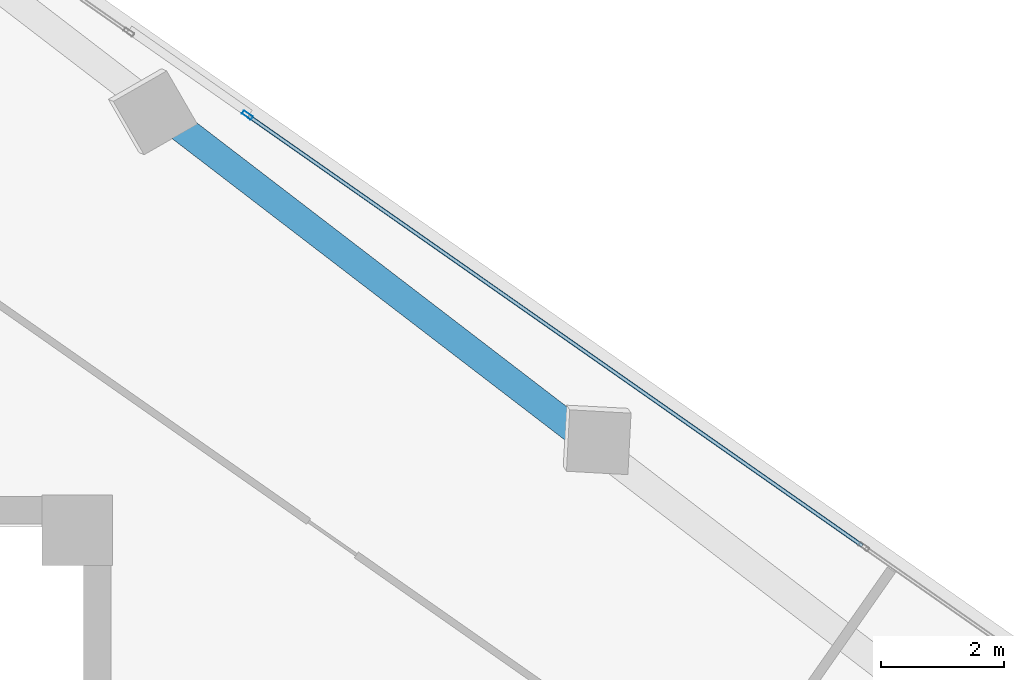
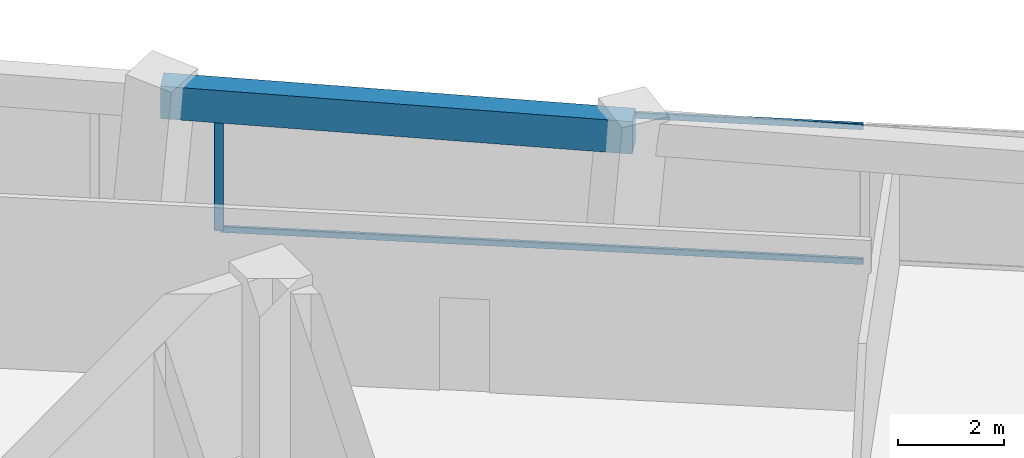
# One storey, part 15 of 21: 3 members, 1 beam, 1 element without a shape of its own.
"""IFC4 building model written with IfcOpenShell, lengths in metres."""

from ifc_helpers import new_model, si_unit, direction, frame, origin, origin_2d, place, context, subcontext, project, spatial, rectangle, hollow_rectangle, extrude, source, transform, mapped, material, material_profile, profile_set, type_object, element, aggregate, save


model = new_model("IFC4")

# Units and contexts
model_context = context("Model", 3, precision=1e-05, world=origin(), true_north=direction((0.0, 1.0)))
body_context = subcontext(model_context, "Body", "Model", "MODEL_VIEW")
ifc_project = project(units=[si_unit("LENGTHUNIT", "METRE"), si_unit("AREAUNIT", "SQUARE_METRE"), si_unit("VOLUMEUNIT", "CUBIC_METRE"), si_unit("PLANEANGLEUNIT", "RADIAN"), si_unit("MASSUNIT", "GRAM", prefix="KILO")], contexts=[model_context])

# Site, building, storey
site_placement = place(None, origin())
site = spatial("IfcSite", under=ifc_project, at=site_placement, CompositionType="ELEMENT")
building_placement = place(site_placement, origin())
building = spatial("IfcBuilding", under=site, at=building_placement, Name="Torre Montelarca", CompositionType="ELEMENT")
storey_placement = place(building_placement, frame((0.0, 0.0, 200.199951171875)))
storey = spatial("IfcBuildingStorey", under=building, at=storey_placement, Name="L45", CompositionType="ELEMENT", Elevation=200.199951171875)

# Beam
ifc_material_1 = material(Name="Concrete C55/67", Category="concrete")
ifc_material_profile_1 = material_profile(ifc_material_1, rectangle(XDim=0.449951171875, YDim=0.75, at=origin_2d()), Name="RCB450X750", Category="concrete")
ifc_profile_set_1 = profile_set([ifc_material_profile_1], Name="Concrete C55/67")
beam_type = type_object("IfcBeamType", Name="BM-SP-RC750-EXT", PredefinedType="SPANDREL", material=ifc_profile_set_1)
shared_shape_1 = source(origin(), body_context, "Body", "SweptSolid", [
    extrude(rectangle(XDim=0.449951171875, YDim=0.75, at=origin_2d()), origin(), (0.0, 0.0, 1.0), 9.0),
])
beam_placement = place(storey_placement, frame((27.946044921875, 46.14990234375, 3.5849609375), z_axis=(0.793356551293, -0.608757244327, 0.0), x_axis=(0.608757244327, 0.793356551293, 0.0)))
element("IfcBeam", 1, at=beam_placement, inside=storey, type_object=beam_type, Name="L45 Grid Girder X 18.0-27.0 at Y=47.1", PredefinedType="SPANDREL", context=body_context, shape_type="MappedRepresentation", body=[
    mapped(shared_shape_1, transform((0.0, 0.0, 0.0), scale=1.0)),
])

# Curtain wall, members
ifc_material_2 = material(Name="Insulated low-E laminated glass", Category="glass")
curtain_wall_type = type_object("IfcCurtainWallType", Name="CW-SYS-Z2", PredefinedType="USERDEFINED", material=ifc_material_2)
curtain_wall_placement = place(storey_placement, origin())
curtain_wall = element("IfcCurtainWall", 2, at=curtain_wall_placement, inside=storey, type_object=curtain_wall_type, Name="L45 Curtain Wall Run CW-T3-L45-E08-B1", ObjectType="UNITISED GLAZING", PredefinedType="USERDEFINED")
ifc_material_3 = material(Name="Anodised aluminium AA 6063-T6", Category="aluminium")
ifc_material_profile_2 = material_profile(ifc_material_3, hollow_rectangle(XDim=0.06494140625, YDim=0.179931640625, WallThickness=0.00390625, InnerFilletRadius=0.00390625, OuterFilletRadius=0.008056640625, at=origin_2d()), Name="ALU65X180X4", Category="aluminium")
ifc_profile_set_2 = profile_set([ifc_material_profile_2], Name="Anodised aluminium AA 6063-T6")
member_type_1 = type_object("IfcMemberType", Name="CWM-ALU180", PredefinedType="MULLION", material=ifc_profile_set_2)
shared_shape_2 = source(origin(), body_context, "Body", "SweptSolid", [
    extrude(hollow_rectangle(XDim=0.06494140625, YDim=0.179931640625, WallThickness=0.00390625, InnerFilletRadius=0.00390625, OuterFilletRadius=0.008056640625, at=origin_2d()), origin(), (0.0, 0.0, 1.0), 3.175048828125),
])
member_1_placement = place(storey_placement, frame((29.2236328125, 46.20947265625, 0.0), z_axis=(0.0, 0.0, 1.0), x_axis=(-0.573571512445, -0.819155492023, 0.0)))
member_1 = element("IfcMember", 3, at=member_1_placement, type_object=member_type_1, Name="CW mullion 3", PredefinedType="MULLION", context=body_context, shape_type="MappedRepresentation", body=[
    mapped(shared_shape_2, transform((0.0, 0.0, 0.0), scale=1.0)),
])
ifc_material_profile_3 = material_profile(ifc_material_3, hollow_rectangle(XDim=0.06494140625, YDim=0.139892578125, WallThickness=0.00390625, InnerFilletRadius=0.00390625, OuterFilletRadius=0.008056640625, at=origin_2d()), Name="ALU65X140X4", Category="aluminium")
ifc_profile_set_3 = profile_set([ifc_material_profile_3], Name="Anodised aluminium AA 6063-T6")
member_type_2 = type_object("IfcMemberType", Name="CWT-ALU140", PredefinedType="USERDEFINED", material=ifc_profile_set_3)
shared_shape_3 = source(origin(), body_context, "Body", "SweptSolid", [
    extrude(hollow_rectangle(XDim=0.06494140625, YDim=0.139892578125, WallThickness=0.00390625, InnerFilletRadius=0.00390625, OuterFilletRadius=0.008056640625, at=origin_2d()), origin(), (0.0, 0.0, 1.0), 12.197509765625),
])
member_2_placement = place(storey_placement, frame((39.241943359375, 39.19482421875, 0.032470703125), z_axis=(-0.819158568052, 0.57356711934, 0.0), x_axis=(-0.57356711934, -0.819158568052, 0.0)))
member_2 = element("IfcMember", 4, at=member_2_placement, type_object=member_type_2, Name="CW transom 2.1", ObjectType="TRANSOM", PredefinedType="USERDEFINED", context=body_context, shape_type="MappedRepresentation", body=[
    mapped(shared_shape_3, transform((0.0, 0.0, 0.0), scale=1.0)),
])
member_3_placement = place(storey_placement, frame((39.241943359375, 39.19482421875, 3.142578125), z_axis=(-0.819158568052, 0.57356711934, 0.0), x_axis=(-0.57356711934, -0.819158568052, 0.0)))
member_3 = element("IfcMember", 5, at=member_3_placement, type_object=member_type_2, Name="CW transom 2.2", ObjectType="TRANSOM", PredefinedType="USERDEFINED", context=body_context, shape_type="MappedRepresentation", body=[
    mapped(shared_shape_3, transform((0.0, 0.0, 0.0), scale=1.0)),
])
aggregate(curtain_wall, [member_1, member_2, member_3])

save(model, "model.ifc")
